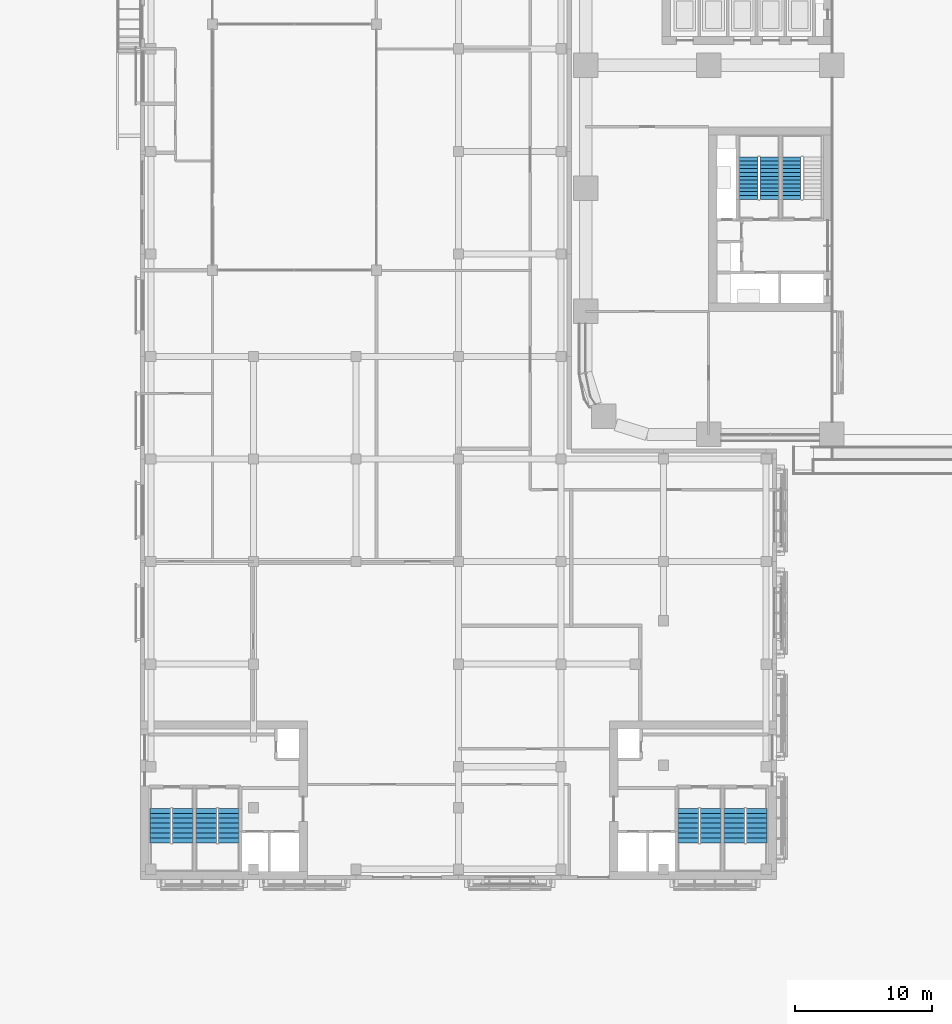
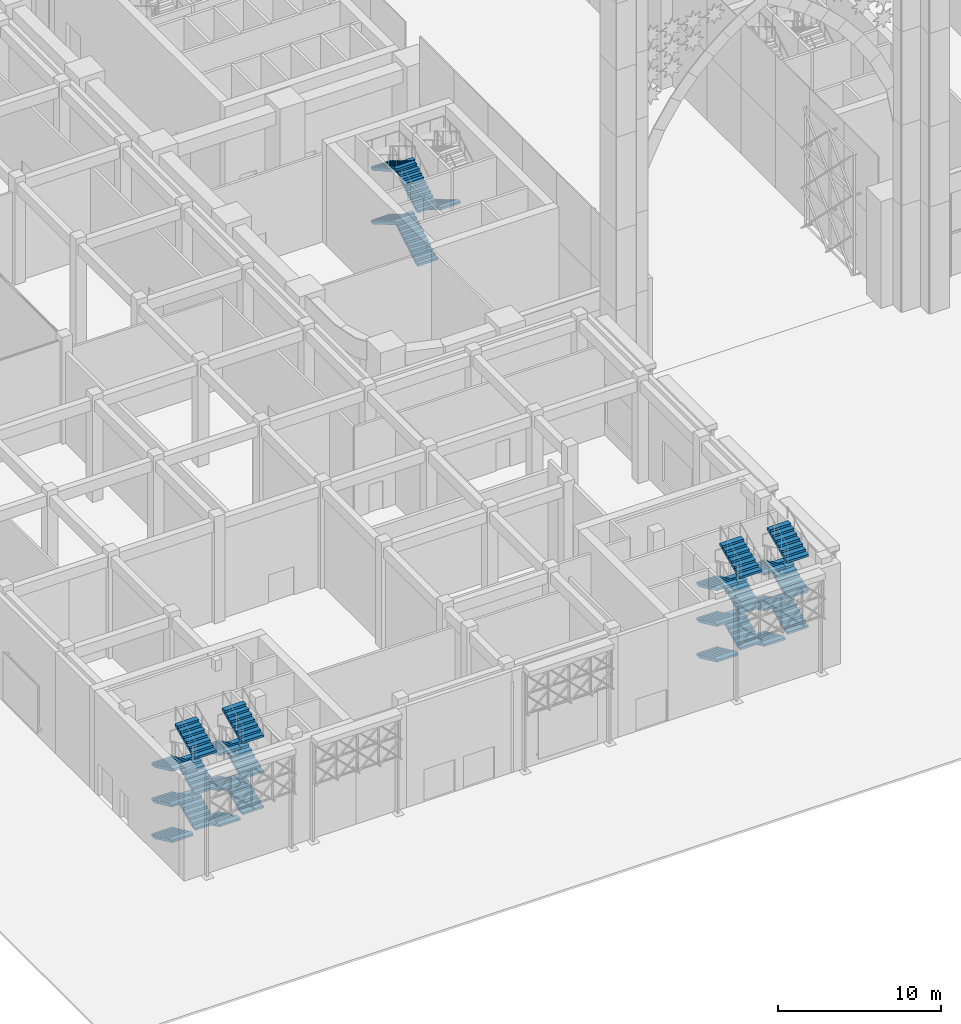
# One storey, part 38 of 64: 29 stair flights, 6 elements without a shape of their own.
"""IFC4 building model written with IfcOpenShell, lengths in metres."""

from ifc_helpers import new_model, si_unit, direction, frame, origin, place, context, subcontext, project, spatial, polyline, outline, extrude, material, type_object, element, aggregate, save


model = new_model("IFC4")

# Units and contexts
model_context = context("Model", 3, precision=1e-05, world=origin(), true_north=direction((0.0, 1.0)))
body_context = subcontext(model_context, "Body", "Model", "MODEL_VIEW")
ifc_project = project(units=[si_unit("LENGTHUNIT", "METRE"), si_unit("AREAUNIT", "SQUARE_METRE"), si_unit("VOLUMEUNIT", "CUBIC_METRE"), si_unit("PLANEANGLEUNIT", "RADIAN"), si_unit("MASSUNIT", "GRAM", prefix="KILO")], contexts=[model_context])

# Site, building, storey
site_placement = place(None, origin())
site = spatial("IfcSite", under=ifc_project, at=site_placement, CompositionType="ELEMENT")
building_placement = place(site_placement, origin())
building = spatial("IfcBuilding", under=site, at=building_placement, Name="Tessera Arch", CompositionType="ELEMENT")
storey_placement = place(building_placement, origin())
storey = spatial("IfcBuildingStorey", under=building, at=storey_placement, Name="L00", CompositionType="ELEMENT", Elevation=0.0)

# Stair, stair flight
ifc_material_1 = material(Name="Concrete C40/50", Category="concrete")
stair_type_1 = type_object("IfcStairType", Name="Dogleg stair 1400", PredefinedType="HALF_TURN_STAIR", material=ifc_material_1)
stair_1_placement = place(storey_placement, origin())
stair_1 = element("IfcStair", 1, at=stair_1_placement, inside=storey, type_object=stair_type_1, Name="L00 S4a", PredefinedType="HALF_TURN_STAIR")
ifc_material_2 = material(Name="Concrete C40/50", Category="concrete")
stair_flight_type_1 = type_object("IfcStairFlightType", Name="Stair flight 1400", PredefinedType="STRAIGHT", material=ifc_material_2)
stair_flight_1_placement = place(storey_placement, frame((15.050048828125, 20.280029296875, 2.0), z_axis=(0.0, 0.0, 1.0), x_axis=(0.0, -1.0, 0.0)))
stair_flight_1 = element("IfcStairFlight", 2, at=stair_flight_1_placement, type_object=stair_flight_type_1, Name="S4a flight 2", NumberOfRisers=12, NumberOfTreads=11, PredefinedType="STRAIGHT", RiserHeight=0.166666667, TreadLength=0.28, context=body_context, shape_type="SweptSolid", body=[
    extrude(outline(polyline([(0.0, 0.0), (0.0, 0.166748046875), (0.280029296875, 0.166748046875), (0.280029296875, 0.333251953125), (0.56005859375, 0.333251953125), (0.56005859375, 0.5), (0.840087890625, 0.5), (0.840087890625, 0.666748046875), (1.1201171875, 0.666748046875), (1.1201171875, 0.833251953125), (1.39990234375, 0.833251953125), (1.39990234375, 1.0), (1.679931640625, 1.0), (1.679931640625, 1.166748046875), (1.9599609375, 1.166748046875), (1.9599609375, 1.333251953125), (2.239990234375, 1.333251953125), (2.239990234375, 1.5), (2.52001953125, 1.5), (2.52001953125, 1.666748046875), (2.800048828125, 1.666748046875), (2.800048828125, 1.833251953125), (3.080078125, 1.833251953125), (3.080078125, 2.0), (3.080078125, 1.658935546875), (0.29296875, 0.0), (0.0, 0.0)])), frame((0.0, 0.699951171875, 0.0), z_axis=(0.0, -1.0, 0.0), x_axis=(1.0, 0.0, 0.0)), (0.0, 0.0, 1.0), 1.39990234375),
])
aggregate(stair_1, [stair_flight_1])

# Stair, stair flights
stair_2_placement = place(storey_placement, origin())
stair_2 = element("IfcStair", 3, at=stair_2_placement, inside=storey, type_object=stair_type_1, Name="L00 S4b", PredefinedType="HALF_TURN_STAIR")
stair_flight_2_placement = place(storey_placement, frame((13.449951171875, 17.199951171875, 0.0), z_axis=(0.0, 0.0, 1.0), x_axis=(0.0, 1.0, 0.0)))
stair_flight_2 = element("IfcStairFlight", 4, at=stair_flight_2_placement, type_object=stair_flight_type_1, Name="S4b flight 1", NumberOfRisers=12, NumberOfTreads=11, PredefinedType="STRAIGHT", RiserHeight=0.166666667, TreadLength=0.28, context=body_context, shape_type="SweptSolid", body=[
    extrude(outline(polyline([(0.0, 0.0), (0.0, 0.166748046875), (0.280029296875, 0.166748046875), (0.280029296875, 0.333251953125), (0.56005859375, 0.333251953125), (0.56005859375, 0.5), (0.840087890625, 0.5), (0.840087890625, 0.666748046875), (1.1201171875, 0.666748046875), (1.1201171875, 0.833251953125), (1.39990234375, 0.833251953125), (1.39990234375, 1.0), (1.679931640625, 1.0), (1.679931640625, 1.166748046875), (1.9599609375, 1.166748046875), (1.9599609375, 1.333251953125), (2.239990234375, 1.333251953125), (2.239990234375, 1.5), (2.52001953125, 1.5), (2.52001953125, 1.666748046875), (2.800048828125, 1.666748046875), (2.800048828125, 1.833251953125), (3.080078125, 1.833251953125), (3.080078125, 2.0), (3.080078125, 1.658935546875), (0.29296875, 0.0), (0.0, 0.0)])), frame((0.0, 0.699951171875, 0.0), z_axis=(0.0, -1.0, 0.0), x_axis=(1.0, 0.0, 0.0)), (0.0, 0.0, 1.0), 1.39990234375),
])
stair_flight_3_placement = place(storey_placement, frame((11.89990234375, 20.280029296875, 2.0), z_axis=(0.0, 0.0, 1.0), x_axis=(0.0, -1.0, 0.0)))
stair_flight_3 = element("IfcStairFlight", 5, at=stair_flight_3_placement, type_object=stair_flight_type_1, Name="S4b flight 2", NumberOfRisers=12, NumberOfTreads=11, PredefinedType="STRAIGHT", RiserHeight=0.166666667, TreadLength=0.28, context=body_context, shape_type="SweptSolid", body=[
    extrude(outline(polyline([(0.0, 0.0), (0.0, 0.166748046875), (0.280029296875, 0.166748046875), (0.280029296875, 0.333251953125), (0.56005859375, 0.333251953125), (0.56005859375, 0.5), (0.840087890625, 0.5), (0.840087890625, 0.666748046875), (1.1201171875, 0.666748046875), (1.1201171875, 0.833251953125), (1.39990234375, 0.833251953125), (1.39990234375, 1.0), (1.679931640625, 1.0), (1.679931640625, 1.166748046875), (1.9599609375, 1.166748046875), (1.9599609375, 1.333251953125), (2.239990234375, 1.333251953125), (2.239990234375, 1.5), (2.52001953125, 1.5), (2.52001953125, 1.666748046875), (2.800048828125, 1.666748046875), (2.800048828125, 1.833251953125), (3.080078125, 1.833251953125), (3.080078125, 2.0), (3.080078125, 1.658935546875), (0.29296875, 0.0), (0.0, 0.0)])), frame((0.0, 0.699951171875, 0.0), z_axis=(0.0, -1.0, 0.0), x_axis=(1.0, 0.0, 0.0)), (0.0, 0.0, 1.0), 1.39990234375),
])
stair_flight_4_placement = place(storey_placement, frame((13.449951171875, 17.199951171875, 4.0), z_axis=(0.0, 0.0, 1.0), x_axis=(0.0, 1.0, 0.0)))
stair_flight_4 = element("IfcStairFlight", 6, at=stair_flight_4_placement, type_object=stair_flight_type_1, Name="S4b flight 3", NumberOfRisers=12, NumberOfTreads=11, PredefinedType="STRAIGHT", RiserHeight=0.166666667, TreadLength=0.28, context=body_context, shape_type="SweptSolid", body=[
    extrude(outline(polyline([(0.0, 0.0), (0.0, 0.166748046875), (0.280029296875, 0.166748046875), (0.280029296875, 0.333251953125), (0.56005859375, 0.333251953125), (0.56005859375, 0.5), (0.840087890625, 0.5), (0.840087890625, 0.666748046875), (1.1201171875, 0.666748046875), (1.1201171875, 0.833251953125), (1.39990234375, 0.833251953125), (1.39990234375, 1.0), (1.679931640625, 1.0), (1.679931640625, 1.166748046875), (1.9599609375, 1.166748046875), (1.9599609375, 1.333251953125), (2.239990234375, 1.333251953125), (2.239990234375, 1.5), (2.52001953125, 1.5), (2.52001953125, 1.666748046875), (2.800048828125, 1.666748046875), (2.800048828125, 1.833251953125), (3.080078125, 1.833251953125), (3.080078125, 2.0), (3.080078125, 1.658935546875), (0.29296875, 0.0), (0.0, 0.0)])), frame((0.0, 0.699951171875, 0.0), z_axis=(0.0, -1.0, 0.0), x_axis=(1.0, 0.0, 0.0)), (0.0, 0.0, 1.0), 1.39990234375),
])
stair_flight_5_placement = place(storey_placement, frame((11.89990234375, 20.280029296875, 6.0), z_axis=(0.0, 0.0, 1.0), x_axis=(0.0, -1.0, 0.0)))
stair_flight_5 = element("IfcStairFlight", 7, at=stair_flight_5_placement, type_object=stair_flight_type_1, Name="S4b flight 4", NumberOfRisers=12, NumberOfTreads=11, PredefinedType="STRAIGHT", RiserHeight=0.166666667, TreadLength=0.28, context=body_context, shape_type="SweptSolid", body=[
    extrude(outline(polyline([(0.0, 0.0), (0.0, 0.166748046875), (0.280029296875, 0.166748046875), (0.280029296875, 0.333251953125), (0.56005859375, 0.333251953125), (0.56005859375, 0.5), (0.840087890625, 0.5), (0.840087890625, 0.666748046875), (1.1201171875, 0.666748046875), (1.1201171875, 0.833251953125), (1.39990234375, 0.833251953125), (1.39990234375, 1.0), (1.679931640625, 1.0), (1.679931640625, 1.166748046875), (1.9599609375, 1.166748046875), (1.9599609375, 1.333251953125), (2.239990234375, 1.333251953125), (2.239990234375, 1.5), (2.52001953125, 1.5), (2.52001953125, 1.666748046875), (2.800048828125, 1.666748046875), (2.800048828125, 1.833251953125), (3.080078125, 1.833251953125), (3.080078125, 2.0), (3.080078125, 1.658935546875), (0.29296875, 0.0), (0.0, 0.0)])), frame((0.0, 0.699951171875, 0.0), z_axis=(0.0, -1.0, 0.0), x_axis=(1.0, 0.0, 0.0)), (0.0, 0.0, 1.0), 1.39990234375),
])
aggregate(stair_2, [stair_flight_2, stair_flight_3, stair_flight_4, stair_flight_5])

ifc_material_3 = material(Name="Concrete C40/50", Category="concrete")
stair_type_2 = type_object("IfcStairType", Name="Dogleg stair 1500", PredefinedType="HALF_TURN_STAIR", material=ifc_material_3)
stair_3_placement = place(storey_placement, origin())
stair_3 = element("IfcStair", 8, at=stair_3_placement, inside=storey, type_object=stair_type_2, Name="L00 M2a", PredefinedType="HALF_TURN_STAIR")
ifc_material_4 = material(Name="Concrete C40/50", Category="concrete")
stair_flight_type_2 = type_object("IfcStairFlightType", Name="Stair flight 1500", PredefinedType="STRAIGHT", material=ifc_material_4)
stair_flight_6_placement = place(storey_placement, frame((-31.10009765625, -27.35009765625, 0.0), z_axis=(0.0, 0.0, 1.0), x_axis=(0.0, -1.0, 0.0)))
stair_flight_6 = element("IfcStairFlight", 9, at=stair_flight_6_placement, type_object=stair_flight_type_2, Name="M2a flight 1", NumberOfRisers=8, NumberOfTreads=7, PredefinedType="STRAIGHT", RiserHeight=0.166666667, TreadLength=0.36, context=body_context, shape_type="SweptSolid", body=[
    extrude(outline(polyline([(0.0, 0.0), (0.0, 0.166748046875), (0.360107421875, 0.166748046875), (0.360107421875, 0.333251953125), (0.719970703125, 0.333251953125), (0.719970703125, 0.5), (1.080078125, 0.5), (1.080078125, 0.666748046875), (1.43994140625, 0.666748046875), (1.43994140625, 0.833251953125), (1.800048828125, 0.833251953125), (1.800048828125, 1.0), (2.159912109375, 1.0), (2.159912109375, 1.166748046875), (2.52001953125, 1.166748046875), (2.52001953125, 1.333251953125), (2.52001953125, 1.00146484375), (0.356689453125, 0.0), (0.0, 0.0)])), frame((0.0, 0.75, 0.0), z_axis=(0.0, -1.0, 0.0), x_axis=(1.0, 0.0, 0.0)), (0.0, 0.0, 1.0), 1.5),
])
stair_flight_7_placement = place(storey_placement, frame((-29.449951171875, -29.8701171875, 1.333251953125), z_axis=(0.0, 0.0, 1.0), x_axis=(0.0, 1.0, 0.0)))
stair_flight_7 = element("IfcStairFlight", 10, at=stair_flight_7_placement, type_object=stair_flight_type_2, Name="M2a flight 2", NumberOfRisers=8, NumberOfTreads=7, PredefinedType="STRAIGHT", RiserHeight=0.166666667, TreadLength=0.36, context=body_context, shape_type="SweptSolid", body=[
    extrude(outline(polyline([(0.0, 0.0), (0.0, 0.166748046875), (0.360107421875, 0.166748046875), (0.360107421875, 0.333251953125), (0.719970703125, 0.333251953125), (0.719970703125, 0.5), (1.080078125, 0.5), (1.080078125, 0.666748046875), (1.43994140625, 0.666748046875), (1.43994140625, 0.833251953125), (1.800048828125, 0.833251953125), (1.800048828125, 1.0), (2.159912109375, 1.0), (2.159912109375, 1.166748046875), (2.52001953125, 1.166748046875), (2.52001953125, 1.333251953125), (2.52001953125, 1.00146484375), (0.356689453125, 0.0), (0.0, 0.0)])), frame((0.0, 0.75, 0.0), z_axis=(0.0, -1.0, 0.0), x_axis=(1.0, 0.0, 0.0)), (0.0, 0.0, 1.0), 1.5),
])
stair_flight_8_placement = place(storey_placement, frame((-31.10009765625, -27.35009765625, 2.666748046875), z_axis=(0.0, 0.0, 1.0), x_axis=(0.0, -1.0, 0.0)))
stair_flight_8 = element("IfcStairFlight", 11, at=stair_flight_8_placement, type_object=stair_flight_type_2, Name="M2a flight 3", NumberOfRisers=8, NumberOfTreads=7, PredefinedType="STRAIGHT", RiserHeight=0.166666667, TreadLength=0.36, context=body_context, shape_type="SweptSolid", body=[
    extrude(outline(polyline([(0.0, 0.0), (0.0, 0.166748046875), (0.360107421875, 0.166748046875), (0.360107421875, 0.333251953125), (0.719970703125, 0.333251953125), (0.719970703125, 0.5), (1.080078125, 0.5), (1.080078125, 0.666748046875), (1.43994140625, 0.666748046875), (1.43994140625, 0.833251953125), (1.800048828125, 0.833251953125), (1.800048828125, 1.0), (2.159912109375, 1.0), (2.159912109375, 1.166748046875), (2.52001953125, 1.166748046875), (2.52001953125, 1.333251953125), (2.52001953125, 1.00146484375), (0.356689453125, 0.0), (0.0, 0.0)])), frame((0.0, 0.75, 0.0), z_axis=(0.0, -1.0, 0.0), x_axis=(1.0, 0.0, 0.0)), (0.0, 0.0, 1.0), 1.5),
])
stair_flight_9_placement = place(storey_placement, frame((-29.449951171875, -29.8701171875, 4.0), z_axis=(0.0, 0.0, 1.0), x_axis=(0.0, 1.0, 0.0)))
stair_flight_9 = element("IfcStairFlight", 12, at=stair_flight_9_placement, type_object=stair_flight_type_2, Name="M2a flight 4", NumberOfRisers=8, NumberOfTreads=7, PredefinedType="STRAIGHT", RiserHeight=0.166666667, TreadLength=0.36, context=body_context, shape_type="SweptSolid", body=[
    extrude(outline(polyline([(0.0, 0.0), (0.0, 0.166748046875), (0.360107421875, 0.166748046875), (0.360107421875, 0.333251953125), (0.719970703125, 0.333251953125), (0.719970703125, 0.5), (1.080078125, 0.5), (1.080078125, 0.666748046875), (1.43994140625, 0.666748046875), (1.43994140625, 0.833251953125), (1.800048828125, 0.833251953125), (1.800048828125, 1.0), (2.159912109375, 1.0), (2.159912109375, 1.166748046875), (2.52001953125, 1.166748046875), (2.52001953125, 1.333251953125), (2.52001953125, 1.00146484375), (0.356689453125, 0.0), (0.0, 0.0)])), frame((0.0, 0.75, 0.0), z_axis=(0.0, -1.0, 0.0), x_axis=(1.0, 0.0, 0.0)), (0.0, 0.0, 1.0), 1.5),
])
stair_flight_10_placement = place(storey_placement, frame((-31.10009765625, -27.35009765625, 5.333251953125), z_axis=(0.0, 0.0, 1.0), x_axis=(0.0, -1.0, 0.0)))
stair_flight_10 = element("IfcStairFlight", 13, at=stair_flight_10_placement, type_object=stair_flight_type_2, Name="M2a flight 5", NumberOfRisers=8, NumberOfTreads=7, PredefinedType="STRAIGHT", RiserHeight=0.166666667, TreadLength=0.36, context=body_context, shape_type="SweptSolid", body=[
    extrude(outline(polyline([(0.0, 0.0), (0.0, 0.166748046875), (0.360107421875, 0.166748046875), (0.360107421875, 0.333251953125), (0.719970703125, 0.333251953125), (0.719970703125, 0.5), (1.080078125, 0.5), (1.080078125, 0.666748046875), (1.43994140625, 0.666748046875), (1.43994140625, 0.833251953125), (1.800048828125, 0.833251953125), (1.800048828125, 1.0), (2.159912109375, 1.0), (2.159912109375, 1.166748046875), (2.52001953125, 1.166748046875), (2.52001953125, 1.333251953125), (2.52001953125, 1.00146484375), (0.356689453125, 0.0), (0.0, 0.0)])), frame((0.0, 0.75, 0.0), z_axis=(0.0, -1.0, 0.0), x_axis=(1.0, 0.0, 0.0)), (0.0, 0.0, 1.0), 1.5),
])
stair_flight_11_placement = place(storey_placement, frame((-29.449951171875, -29.8701171875, 6.666748046875), z_axis=(0.0, 0.0, 1.0), x_axis=(0.0, 1.0, 0.0)))
stair_flight_11 = element("IfcStairFlight", 14, at=stair_flight_11_placement, type_object=stair_flight_type_2, Name="M2a flight 6", NumberOfRisers=8, NumberOfTreads=7, PredefinedType="STRAIGHT", RiserHeight=0.166666667, TreadLength=0.36, context=body_context, shape_type="SweptSolid", body=[
    extrude(outline(polyline([(0.0, 0.0), (0.0, 0.166748046875), (0.360107421875, 0.166748046875), (0.360107421875, 0.333251953125), (0.719970703125, 0.333251953125), (0.719970703125, 0.5), (1.080078125, 0.5), (1.080078125, 0.666748046875), (1.43994140625, 0.666748046875), (1.43994140625, 0.833251953125), (1.800048828125, 0.833251953125), (1.800048828125, 1.0), (2.159912109375, 1.0), (2.159912109375, 1.166748046875), (2.52001953125, 1.166748046875), (2.52001953125, 1.333251953125), (2.52001953125, 1.00146484375), (0.356689453125, 0.0), (0.0, 0.0)])), frame((0.0, 0.75, 0.0), z_axis=(0.0, -1.0, 0.0), x_axis=(1.0, 0.0, 0.0)), (0.0, 0.0, 1.0), 1.5),
])
aggregate(stair_3, [stair_flight_6, stair_flight_7, stair_flight_8, stair_flight_9, stair_flight_10, stair_flight_11])

stair_4_placement = place(storey_placement, origin())
stair_4 = element("IfcStair", 15, at=stair_4_placement, inside=storey, type_object=stair_type_2, Name="L00 M2b", PredefinedType="HALF_TURN_STAIR")
stair_flight_12_placement = place(storey_placement, frame((-27.75, -27.35009765625, 0.0), z_axis=(0.0, 0.0, 1.0), x_axis=(0.0, -1.0, 0.0)))
stair_flight_12 = element("IfcStairFlight", 16, at=stair_flight_12_placement, type_object=stair_flight_type_2, Name="M2b flight 1", NumberOfRisers=8, NumberOfTreads=7, PredefinedType="STRAIGHT", RiserHeight=0.166666667, TreadLength=0.36, context=body_context, shape_type="SweptSolid", body=[
    extrude(outline(polyline([(0.0, 0.0), (0.0, 0.166748046875), (0.360107421875, 0.166748046875), (0.360107421875, 0.333251953125), (0.719970703125, 0.333251953125), (0.719970703125, 0.5), (1.080078125, 0.5), (1.080078125, 0.666748046875), (1.43994140625, 0.666748046875), (1.43994140625, 0.833251953125), (1.800048828125, 0.833251953125), (1.800048828125, 1.0), (2.159912109375, 1.0), (2.159912109375, 1.166748046875), (2.52001953125, 1.166748046875), (2.52001953125, 1.333251953125), (2.52001953125, 1.00146484375), (0.356689453125, 0.0), (0.0, 0.0)])), frame((0.0, 0.75, 0.0), z_axis=(0.0, -1.0, 0.0), x_axis=(1.0, 0.0, 0.0)), (0.0, 0.0, 1.0), 1.5),
])
stair_flight_13_placement = place(storey_placement, frame((-26.10009765625, -29.8701171875, 1.333251953125), z_axis=(0.0, 0.0, 1.0), x_axis=(0.0, 1.0, 0.0)))
stair_flight_13 = element("IfcStairFlight", 17, at=stair_flight_13_placement, type_object=stair_flight_type_2, Name="M2b flight 2", NumberOfRisers=8, NumberOfTreads=7, PredefinedType="STRAIGHT", RiserHeight=0.166666667, TreadLength=0.36, context=body_context, shape_type="SweptSolid", body=[
    extrude(outline(polyline([(0.0, 0.0), (0.0, 0.166748046875), (0.360107421875, 0.166748046875), (0.360107421875, 0.333251953125), (0.719970703125, 0.333251953125), (0.719970703125, 0.5), (1.080078125, 0.5), (1.080078125, 0.666748046875), (1.43994140625, 0.666748046875), (1.43994140625, 0.833251953125), (1.800048828125, 0.833251953125), (1.800048828125, 1.0), (2.159912109375, 1.0), (2.159912109375, 1.166748046875), (2.52001953125, 1.166748046875), (2.52001953125, 1.333251953125), (2.52001953125, 1.00146484375), (0.356689453125, 0.0), (0.0, 0.0)])), frame((0.0, 0.75, 0.0), z_axis=(0.0, -1.0, 0.0), x_axis=(1.0, 0.0, 0.0)), (0.0, 0.0, 1.0), 1.5),
])
stair_flight_14_placement = place(storey_placement, frame((-27.75, -27.35009765625, 2.666748046875), z_axis=(0.0, 0.0, 1.0), x_axis=(0.0, -1.0, 0.0)))
stair_flight_14 = element("IfcStairFlight", 18, at=stair_flight_14_placement, type_object=stair_flight_type_2, Name="M2b flight 3", NumberOfRisers=8, NumberOfTreads=7, PredefinedType="STRAIGHT", RiserHeight=0.166666667, TreadLength=0.36, context=body_context, shape_type="SweptSolid", body=[
    extrude(outline(polyline([(0.0, 0.0), (0.0, 0.166748046875), (0.360107421875, 0.166748046875), (0.360107421875, 0.333251953125), (0.719970703125, 0.333251953125), (0.719970703125, 0.5), (1.080078125, 0.5), (1.080078125, 0.666748046875), (1.43994140625, 0.666748046875), (1.43994140625, 0.833251953125), (1.800048828125, 0.833251953125), (1.800048828125, 1.0), (2.159912109375, 1.0), (2.159912109375, 1.166748046875), (2.52001953125, 1.166748046875), (2.52001953125, 1.333251953125), (2.52001953125, 1.00146484375), (0.356689453125, 0.0), (0.0, 0.0)])), frame((0.0, 0.75, 0.0), z_axis=(0.0, -1.0, 0.0), x_axis=(1.0, 0.0, 0.0)), (0.0, 0.0, 1.0), 1.5),
])
stair_flight_15_placement = place(storey_placement, frame((-26.10009765625, -29.8701171875, 4.0), z_axis=(0.0, 0.0, 1.0), x_axis=(0.0, 1.0, 0.0)))
stair_flight_15 = element("IfcStairFlight", 19, at=stair_flight_15_placement, type_object=stair_flight_type_2, Name="M2b flight 4", NumberOfRisers=8, NumberOfTreads=7, PredefinedType="STRAIGHT", RiserHeight=0.166666667, TreadLength=0.36, context=body_context, shape_type="SweptSolid", body=[
    extrude(outline(polyline([(0.0, 0.0), (0.0, 0.166748046875), (0.360107421875, 0.166748046875), (0.360107421875, 0.333251953125), (0.719970703125, 0.333251953125), (0.719970703125, 0.5), (1.080078125, 0.5), (1.080078125, 0.666748046875), (1.43994140625, 0.666748046875), (1.43994140625, 0.833251953125), (1.800048828125, 0.833251953125), (1.800048828125, 1.0), (2.159912109375, 1.0), (2.159912109375, 1.166748046875), (2.52001953125, 1.166748046875), (2.52001953125, 1.333251953125), (2.52001953125, 1.00146484375), (0.356689453125, 0.0), (0.0, 0.0)])), frame((0.0, 0.75, 0.0), z_axis=(0.0, -1.0, 0.0), x_axis=(1.0, 0.0, 0.0)), (0.0, 0.0, 1.0), 1.5),
])
stair_flight_16_placement = place(storey_placement, frame((-27.75, -27.35009765625, 5.333251953125), z_axis=(0.0, 0.0, 1.0), x_axis=(0.0, -1.0, 0.0)))
stair_flight_16 = element("IfcStairFlight", 20, at=stair_flight_16_placement, type_object=stair_flight_type_2, Name="M2b flight 5", NumberOfRisers=8, NumberOfTreads=7, PredefinedType="STRAIGHT", RiserHeight=0.166666667, TreadLength=0.36, context=body_context, shape_type="SweptSolid", body=[
    extrude(outline(polyline([(0.0, 0.0), (0.0, 0.166748046875), (0.360107421875, 0.166748046875), (0.360107421875, 0.333251953125), (0.719970703125, 0.333251953125), (0.719970703125, 0.5), (1.080078125, 0.5), (1.080078125, 0.666748046875), (1.43994140625, 0.666748046875), (1.43994140625, 0.833251953125), (1.800048828125, 0.833251953125), (1.800048828125, 1.0), (2.159912109375, 1.0), (2.159912109375, 1.166748046875), (2.52001953125, 1.166748046875), (2.52001953125, 1.333251953125), (2.52001953125, 1.00146484375), (0.356689453125, 0.0), (0.0, 0.0)])), frame((0.0, 0.75, 0.0), z_axis=(0.0, -1.0, 0.0), x_axis=(1.0, 0.0, 0.0)), (0.0, 0.0, 1.0), 1.5),
])
stair_flight_17_placement = place(storey_placement, frame((-26.10009765625, -29.8701171875, 6.666748046875), z_axis=(0.0, 0.0, 1.0), x_axis=(0.0, 1.0, 0.0)))
stair_flight_17 = element("IfcStairFlight", 21, at=stair_flight_17_placement, type_object=stair_flight_type_2, Name="M2b flight 6", NumberOfRisers=8, NumberOfTreads=7, PredefinedType="STRAIGHT", RiserHeight=0.166666667, TreadLength=0.36, context=body_context, shape_type="SweptSolid", body=[
    extrude(outline(polyline([(0.0, 0.0), (0.0, 0.166748046875), (0.360107421875, 0.166748046875), (0.360107421875, 0.333251953125), (0.719970703125, 0.333251953125), (0.719970703125, 0.5), (1.080078125, 0.5), (1.080078125, 0.666748046875), (1.43994140625, 0.666748046875), (1.43994140625, 0.833251953125), (1.800048828125, 0.833251953125), (1.800048828125, 1.0), (2.159912109375, 1.0), (2.159912109375, 1.166748046875), (2.52001953125, 1.166748046875), (2.52001953125, 1.333251953125), (2.52001953125, 1.00146484375), (0.356689453125, 0.0), (0.0, 0.0)])), frame((0.0, 0.75, 0.0), z_axis=(0.0, -1.0, 0.0), x_axis=(1.0, 0.0, 0.0)), (0.0, 0.0, 1.0), 1.5),
])
aggregate(stair_4, [stair_flight_12, stair_flight_13, stair_flight_14, stair_flight_15, stair_flight_16, stair_flight_17])

stair_5_placement = place(storey_placement, origin())
stair_5 = element("IfcStair", 22, at=stair_5_placement, inside=storey, type_object=stair_type_2, Name="L00 M3a", PredefinedType="HALF_TURN_STAIR")
stair_flight_18_placement = place(storey_placement, frame((10.85009765625, -27.35009765625, 0.0), z_axis=(0.0, 0.0, 1.0), x_axis=(0.0, -1.0, 0.0)))
stair_flight_18 = element("IfcStairFlight", 23, at=stair_flight_18_placement, type_object=stair_flight_type_2, Name="M3a flight 1", NumberOfRisers=8, NumberOfTreads=7, PredefinedType="STRAIGHT", RiserHeight=0.166666667, TreadLength=0.36, context=body_context, shape_type="SweptSolid", body=[
    extrude(outline(polyline([(0.0, 0.0), (0.0, 0.166748046875), (0.360107421875, 0.166748046875), (0.360107421875, 0.333251953125), (0.719970703125, 0.333251953125), (0.719970703125, 0.5), (1.080078125, 0.5), (1.080078125, 0.666748046875), (1.43994140625, 0.666748046875), (1.43994140625, 0.833251953125), (1.800048828125, 0.833251953125), (1.800048828125, 1.0), (2.159912109375, 1.0), (2.159912109375, 1.166748046875), (2.52001953125, 1.166748046875), (2.52001953125, 1.333251953125), (2.52001953125, 1.00146484375), (0.356689453125, 0.0), (0.0, 0.0)])), frame((0.0, 0.75, 0.0), z_axis=(0.0, -1.0, 0.0), x_axis=(1.0, 0.0, 0.0)), (0.0, 0.0, 1.0), 1.5),
])
stair_flight_19_placement = place(storey_placement, frame((12.5, -29.8701171875, 1.333251953125), z_axis=(0.0, 0.0, 1.0), x_axis=(0.0, 1.0, 0.0)))
stair_flight_19 = element("IfcStairFlight", 24, at=stair_flight_19_placement, type_object=stair_flight_type_2, Name="M3a flight 2", NumberOfRisers=8, NumberOfTreads=7, PredefinedType="STRAIGHT", RiserHeight=0.166666667, TreadLength=0.36, context=body_context, shape_type="SweptSolid", body=[
    extrude(outline(polyline([(0.0, 0.0), (0.0, 0.166748046875), (0.360107421875, 0.166748046875), (0.360107421875, 0.333251953125), (0.719970703125, 0.333251953125), (0.719970703125, 0.5), (1.080078125, 0.5), (1.080078125, 0.666748046875), (1.43994140625, 0.666748046875), (1.43994140625, 0.833251953125), (1.800048828125, 0.833251953125), (1.800048828125, 1.0), (2.159912109375, 1.0), (2.159912109375, 1.166748046875), (2.52001953125, 1.166748046875), (2.52001953125, 1.333251953125), (2.52001953125, 1.00146484375), (0.356689453125, 0.0), (0.0, 0.0)])), frame((0.0, 0.75, 0.0), z_axis=(0.0, -1.0, 0.0), x_axis=(1.0, 0.0, 0.0)), (0.0, 0.0, 1.0), 1.5),
])
stair_flight_20_placement = place(storey_placement, frame((10.85009765625, -27.35009765625, 2.666748046875), z_axis=(0.0, 0.0, 1.0), x_axis=(0.0, -1.0, 0.0)))
stair_flight_20 = element("IfcStairFlight", 25, at=stair_flight_20_placement, type_object=stair_flight_type_2, Name="M3a flight 3", NumberOfRisers=8, NumberOfTreads=7, PredefinedType="STRAIGHT", RiserHeight=0.166666667, TreadLength=0.36, context=body_context, shape_type="SweptSolid", body=[
    extrude(outline(polyline([(0.0, 0.0), (0.0, 0.166748046875), (0.360107421875, 0.166748046875), (0.360107421875, 0.333251953125), (0.719970703125, 0.333251953125), (0.719970703125, 0.5), (1.080078125, 0.5), (1.080078125, 0.666748046875), (1.43994140625, 0.666748046875), (1.43994140625, 0.833251953125), (1.800048828125, 0.833251953125), (1.800048828125, 1.0), (2.159912109375, 1.0), (2.159912109375, 1.166748046875), (2.52001953125, 1.166748046875), (2.52001953125, 1.333251953125), (2.52001953125, 1.00146484375), (0.356689453125, 0.0), (0.0, 0.0)])), frame((0.0, 0.75, 0.0), z_axis=(0.0, -1.0, 0.0), x_axis=(1.0, 0.0, 0.0)), (0.0, 0.0, 1.0), 1.5),
])
stair_flight_21_placement = place(storey_placement, frame((12.5, -29.8701171875, 4.0), z_axis=(0.0, 0.0, 1.0), x_axis=(0.0, 1.0, 0.0)))
stair_flight_21 = element("IfcStairFlight", 26, at=stair_flight_21_placement, type_object=stair_flight_type_2, Name="M3a flight 4", NumberOfRisers=8, NumberOfTreads=7, PredefinedType="STRAIGHT", RiserHeight=0.166666667, TreadLength=0.36, context=body_context, shape_type="SweptSolid", body=[
    extrude(outline(polyline([(0.0, 0.0), (0.0, 0.166748046875), (0.360107421875, 0.166748046875), (0.360107421875, 0.333251953125), (0.719970703125, 0.333251953125), (0.719970703125, 0.5), (1.080078125, 0.5), (1.080078125, 0.666748046875), (1.43994140625, 0.666748046875), (1.43994140625, 0.833251953125), (1.800048828125, 0.833251953125), (1.800048828125, 1.0), (2.159912109375, 1.0), (2.159912109375, 1.166748046875), (2.52001953125, 1.166748046875), (2.52001953125, 1.333251953125), (2.52001953125, 1.00146484375), (0.356689453125, 0.0), (0.0, 0.0)])), frame((0.0, 0.75, 0.0), z_axis=(0.0, -1.0, 0.0), x_axis=(1.0, 0.0, 0.0)), (0.0, 0.0, 1.0), 1.5),
])
stair_flight_22_placement = place(storey_placement, frame((10.85009765625, -27.35009765625, 5.333251953125), z_axis=(0.0, 0.0, 1.0), x_axis=(0.0, -1.0, 0.0)))
stair_flight_22 = element("IfcStairFlight", 27, at=stair_flight_22_placement, type_object=stair_flight_type_2, Name="M3a flight 5", NumberOfRisers=8, NumberOfTreads=7, PredefinedType="STRAIGHT", RiserHeight=0.166666667, TreadLength=0.36, context=body_context, shape_type="SweptSolid", body=[
    extrude(outline(polyline([(0.0, 0.0), (0.0, 0.166748046875), (0.360107421875, 0.166748046875), (0.360107421875, 0.333251953125), (0.719970703125, 0.333251953125), (0.719970703125, 0.5), (1.080078125, 0.5), (1.080078125, 0.666748046875), (1.43994140625, 0.666748046875), (1.43994140625, 0.833251953125), (1.800048828125, 0.833251953125), (1.800048828125, 1.0), (2.159912109375, 1.0), (2.159912109375, 1.166748046875), (2.52001953125, 1.166748046875), (2.52001953125, 1.333251953125), (2.52001953125, 1.00146484375), (0.356689453125, 0.0), (0.0, 0.0)])), frame((0.0, 0.75, 0.0), z_axis=(0.0, -1.0, 0.0), x_axis=(1.0, 0.0, 0.0)), (0.0, 0.0, 1.0), 1.5),
])
stair_flight_23_placement = place(storey_placement, frame((12.5, -29.8701171875, 6.666748046875), z_axis=(0.0, 0.0, 1.0), x_axis=(0.0, 1.0, 0.0)))
stair_flight_23 = element("IfcStairFlight", 28, at=stair_flight_23_placement, type_object=stair_flight_type_2, Name="M3a flight 6", NumberOfRisers=8, NumberOfTreads=7, PredefinedType="STRAIGHT", RiserHeight=0.166666667, TreadLength=0.36, context=body_context, shape_type="SweptSolid", body=[
    extrude(outline(polyline([(0.0, 0.0), (0.0, 0.166748046875), (0.360107421875, 0.166748046875), (0.360107421875, 0.333251953125), (0.719970703125, 0.333251953125), (0.719970703125, 0.5), (1.080078125, 0.5), (1.080078125, 0.666748046875), (1.43994140625, 0.666748046875), (1.43994140625, 0.833251953125), (1.800048828125, 0.833251953125), (1.800048828125, 1.0), (2.159912109375, 1.0), (2.159912109375, 1.166748046875), (2.52001953125, 1.166748046875), (2.52001953125, 1.333251953125), (2.52001953125, 1.00146484375), (0.356689453125, 0.0), (0.0, 0.0)])), frame((0.0, 0.75, 0.0), z_axis=(0.0, -1.0, 0.0), x_axis=(1.0, 0.0, 0.0)), (0.0, 0.0, 1.0), 1.5),
])
aggregate(stair_5, [stair_flight_18, stair_flight_19, stair_flight_20, stair_flight_21, stair_flight_22, stair_flight_23])

stair_6_placement = place(storey_placement, origin())
stair_6 = element("IfcStair", 29, at=stair_6_placement, inside=storey, type_object=stair_type_2, Name="L00 M3b", PredefinedType="HALF_TURN_STAIR")
stair_flight_24_placement = place(storey_placement, frame((7.5, -27.35009765625, 0.0), z_axis=(0.0, 0.0, 1.0), x_axis=(0.0, -1.0, 0.0)))
stair_flight_24 = element("IfcStairFlight", 30, at=stair_flight_24_placement, type_object=stair_flight_type_2, Name="M3b flight 1", NumberOfRisers=8, NumberOfTreads=7, PredefinedType="STRAIGHT", RiserHeight=0.166666667, TreadLength=0.36, context=body_context, shape_type="SweptSolid", body=[
    extrude(outline(polyline([(0.0, 0.0), (0.0, 0.166748046875), (0.360107421875, 0.166748046875), (0.360107421875, 0.333251953125), (0.719970703125, 0.333251953125), (0.719970703125, 0.5), (1.080078125, 0.5), (1.080078125, 0.666748046875), (1.43994140625, 0.666748046875), (1.43994140625, 0.833251953125), (1.800048828125, 0.833251953125), (1.800048828125, 1.0), (2.159912109375, 1.0), (2.159912109375, 1.166748046875), (2.52001953125, 1.166748046875), (2.52001953125, 1.333251953125), (2.52001953125, 1.00146484375), (0.356689453125, 0.0), (0.0, 0.0)])), frame((0.0, 0.75, 0.0), z_axis=(0.0, -1.0, 0.0), x_axis=(1.0, 0.0, 0.0)), (0.0, 0.0, 1.0), 1.5),
])
stair_flight_25_placement = place(storey_placement, frame((9.14990234375, -29.8701171875, 1.333251953125), z_axis=(0.0, 0.0, 1.0), x_axis=(0.0, 1.0, 0.0)))
stair_flight_25 = element("IfcStairFlight", 31, at=stair_flight_25_placement, type_object=stair_flight_type_2, Name="M3b flight 2", NumberOfRisers=8, NumberOfTreads=7, PredefinedType="STRAIGHT", RiserHeight=0.166666667, TreadLength=0.36, context=body_context, shape_type="SweptSolid", body=[
    extrude(outline(polyline([(0.0, 0.0), (0.0, 0.166748046875), (0.360107421875, 0.166748046875), (0.360107421875, 0.333251953125), (0.719970703125, 0.333251953125), (0.719970703125, 0.5), (1.080078125, 0.5), (1.080078125, 0.666748046875), (1.43994140625, 0.666748046875), (1.43994140625, 0.833251953125), (1.800048828125, 0.833251953125), (1.800048828125, 1.0), (2.159912109375, 1.0), (2.159912109375, 1.166748046875), (2.52001953125, 1.166748046875), (2.52001953125, 1.333251953125), (2.52001953125, 1.00146484375), (0.356689453125, 0.0), (0.0, 0.0)])), frame((0.0, 0.75, 0.0), z_axis=(0.0, -1.0, 0.0), x_axis=(1.0, 0.0, 0.0)), (0.0, 0.0, 1.0), 1.5),
])
stair_flight_26_placement = place(storey_placement, frame((7.5, -27.35009765625, 2.666748046875), z_axis=(0.0, 0.0, 1.0), x_axis=(0.0, -1.0, 0.0)))
stair_flight_26 = element("IfcStairFlight", 32, at=stair_flight_26_placement, type_object=stair_flight_type_2, Name="M3b flight 3", NumberOfRisers=8, NumberOfTreads=7, PredefinedType="STRAIGHT", RiserHeight=0.166666667, TreadLength=0.36, context=body_context, shape_type="SweptSolid", body=[
    extrude(outline(polyline([(0.0, 0.0), (0.0, 0.166748046875), (0.360107421875, 0.166748046875), (0.360107421875, 0.333251953125), (0.719970703125, 0.333251953125), (0.719970703125, 0.5), (1.080078125, 0.5), (1.080078125, 0.666748046875), (1.43994140625, 0.666748046875), (1.43994140625, 0.833251953125), (1.800048828125, 0.833251953125), (1.800048828125, 1.0), (2.159912109375, 1.0), (2.159912109375, 1.166748046875), (2.52001953125, 1.166748046875), (2.52001953125, 1.333251953125), (2.52001953125, 1.00146484375), (0.356689453125, 0.0), (0.0, 0.0)])), frame((0.0, 0.75, 0.0), z_axis=(0.0, -1.0, 0.0), x_axis=(1.0, 0.0, 0.0)), (0.0, 0.0, 1.0), 1.5),
])
stair_flight_27_placement = place(storey_placement, frame((9.14990234375, -29.8701171875, 4.0), z_axis=(0.0, 0.0, 1.0), x_axis=(0.0, 1.0, 0.0)))
stair_flight_27 = element("IfcStairFlight", 33, at=stair_flight_27_placement, type_object=stair_flight_type_2, Name="M3b flight 4", NumberOfRisers=8, NumberOfTreads=7, PredefinedType="STRAIGHT", RiserHeight=0.166666667, TreadLength=0.36, context=body_context, shape_type="SweptSolid", body=[
    extrude(outline(polyline([(0.0, 0.0), (0.0, 0.166748046875), (0.360107421875, 0.166748046875), (0.360107421875, 0.333251953125), (0.719970703125, 0.333251953125), (0.719970703125, 0.5), (1.080078125, 0.5), (1.080078125, 0.666748046875), (1.43994140625, 0.666748046875), (1.43994140625, 0.833251953125), (1.800048828125, 0.833251953125), (1.800048828125, 1.0), (2.159912109375, 1.0), (2.159912109375, 1.166748046875), (2.52001953125, 1.166748046875), (2.52001953125, 1.333251953125), (2.52001953125, 1.00146484375), (0.356689453125, 0.0), (0.0, 0.0)])), frame((0.0, 0.75, 0.0), z_axis=(0.0, -1.0, 0.0), x_axis=(1.0, 0.0, 0.0)), (0.0, 0.0, 1.0), 1.5),
])
stair_flight_28_placement = place(storey_placement, frame((7.5, -27.35009765625, 5.333251953125), z_axis=(0.0, 0.0, 1.0), x_axis=(0.0, -1.0, 0.0)))
stair_flight_28 = element("IfcStairFlight", 34, at=stair_flight_28_placement, type_object=stair_flight_type_2, Name="M3b flight 5", NumberOfRisers=8, NumberOfTreads=7, PredefinedType="STRAIGHT", RiserHeight=0.166666667, TreadLength=0.36, context=body_context, shape_type="SweptSolid", body=[
    extrude(outline(polyline([(0.0, 0.0), (0.0, 0.166748046875), (0.360107421875, 0.166748046875), (0.360107421875, 0.333251953125), (0.719970703125, 0.333251953125), (0.719970703125, 0.5), (1.080078125, 0.5), (1.080078125, 0.666748046875), (1.43994140625, 0.666748046875), (1.43994140625, 0.833251953125), (1.800048828125, 0.833251953125), (1.800048828125, 1.0), (2.159912109375, 1.0), (2.159912109375, 1.166748046875), (2.52001953125, 1.166748046875), (2.52001953125, 1.333251953125), (2.52001953125, 1.00146484375), (0.356689453125, 0.0), (0.0, 0.0)])), frame((0.0, 0.75, 0.0), z_axis=(0.0, -1.0, 0.0), x_axis=(1.0, 0.0, 0.0)), (0.0, 0.0, 1.0), 1.5),
])
stair_flight_29_placement = place(storey_placement, frame((9.14990234375, -29.8701171875, 6.666748046875), z_axis=(0.0, 0.0, 1.0), x_axis=(0.0, 1.0, 0.0)))
stair_flight_29 = element("IfcStairFlight", 35, at=stair_flight_29_placement, type_object=stair_flight_type_2, Name="M3b flight 6", NumberOfRisers=8, NumberOfTreads=7, PredefinedType="STRAIGHT", RiserHeight=0.166666667, TreadLength=0.36, context=body_context, shape_type="SweptSolid", body=[
    extrude(outline(polyline([(0.0, 0.0), (0.0, 0.166748046875), (0.360107421875, 0.166748046875), (0.360107421875, 0.333251953125), (0.719970703125, 0.333251953125), (0.719970703125, 0.5), (1.080078125, 0.5), (1.080078125, 0.666748046875), (1.43994140625, 0.666748046875), (1.43994140625, 0.833251953125), (1.800048828125, 0.833251953125), (1.800048828125, 1.0), (2.159912109375, 1.0), (2.159912109375, 1.166748046875), (2.52001953125, 1.166748046875), (2.52001953125, 1.333251953125), (2.52001953125, 1.00146484375), (0.356689453125, 0.0), (0.0, 0.0)])), frame((0.0, 0.75, 0.0), z_axis=(0.0, -1.0, 0.0), x_axis=(1.0, 0.0, 0.0)), (0.0, 0.0, 1.0), 1.5),
])
aggregate(stair_6, [stair_flight_24, stair_flight_25, stair_flight_26, stair_flight_27, stair_flight_28, stair_flight_29])

save(model, "model.ifc")
